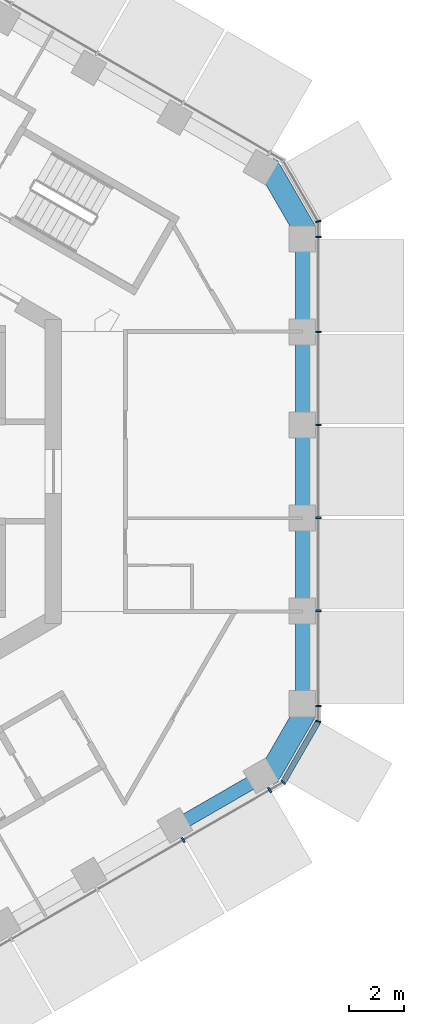
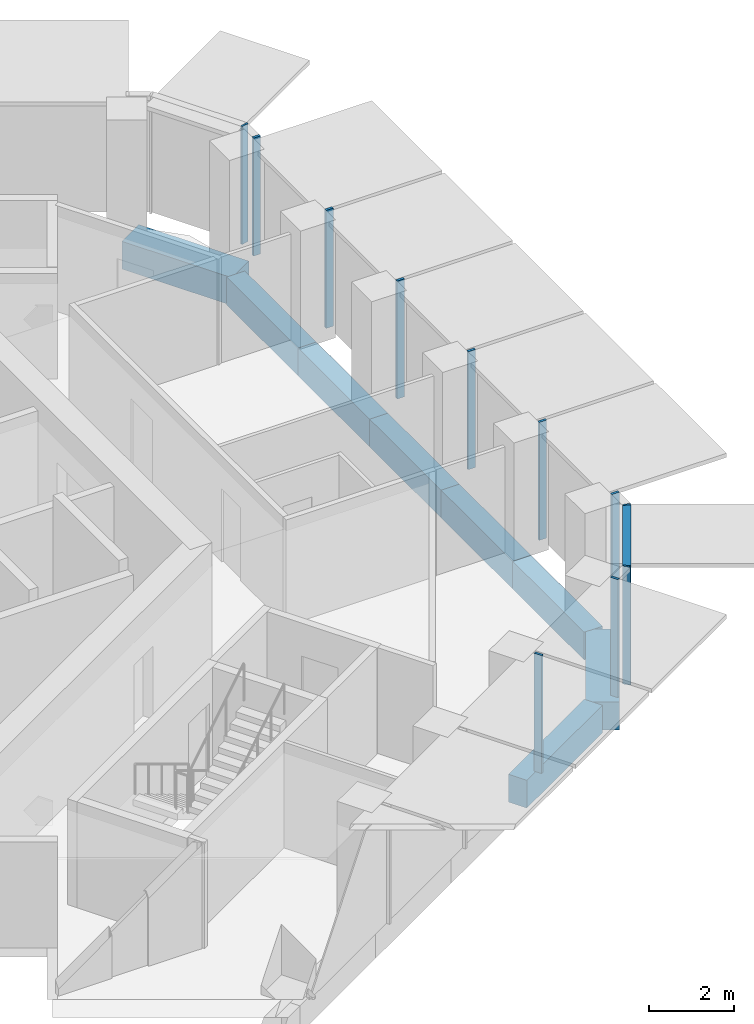
# One storey, part 5 of 18: 12 members, 8 beams, 4 elements without a shape of their own.
"""IFC4 building model written with IfcOpenShell, lengths in metres."""

import ifcopenshell
import ifcopenshell.guid

model = None  # the IFC model being written
_history = None  # IfcOwnerHistory: only IFC2X3 demands one
_inside = {}  # id of a spatial element -> (the spatial element, [elements in it])
_under = {}  # id of a project, library or spatial element -> (it, [spatial elements below it])
_declared = {}  # id of a project -> (the project, [libraries it declares])
_typed = {}  # id of a type object -> (the type object, [elements of that type])
_made_of = {}  # id of a material, layer set ... -> (it, [elements and type objects made of it])


def new_model(schema):
    """Start an empty IFC model of exactly this schema.

    Asked for "IFC4X3", IfcOpenShell would pick the latest addendum, in which some entities
    have other attributes; the version numbers below select the first issue.
    IFC2X3 requires an IfcOwnerHistory on every rooted entity: one is made here for all.
    """
    global model, _history
    if schema == "IFC4X3":
        model = ifcopenshell.file(schema_version=(4, 3, 0, 0))
    else:
        model = ifcopenshell.file(schema=schema)
    _inside.clear()
    _under.clear()
    _declared.clear()
    _typed.clear()
    _made_of.clear()
    _history = None
    if model.schema == "IFC2X3":
        org = make("IfcOrganization", Name="unknown")
        user = make(
            "IfcPersonAndOrganization",
            ThePerson=make("IfcPerson", FamilyName="unknown"),
            TheOrganization=org,
        )
        app = make(
            "IfcApplication",
            ApplicationDeveloper=org,
            Version="unknown",
            ApplicationFullName="unknown",
            ApplicationIdentifier="unknown",
        )
        _history = make(
            "IfcOwnerHistory",
            OwningUser=user,
            OwningApplication=app,
            ChangeAction="ADDED",
            CreationDate=0,
        )
    return model


def make(cls, **values):
    """One entity of the class cls with the attributes given. An attribute that is None is left unset."""
    return model.create_entity(
        cls, **{name: value for name, value in values.items() if value is not None}
    )


def rooted(cls, **values):
    """An entity with a GlobalId (a new one), such as an element, a storey or a relation."""
    return make(cls, GlobalId=ifcopenshell.guid.new(), OwnerHistory=_history, **values)


def si_unit(unit_type, name, prefix=None):
    """IfcSIUnit, for example si_unit("LENGTHUNIT", "METRE", prefix="MILLI")."""
    return make("IfcSIUnit", UnitType=unit_type, Prefix=prefix, Name=name)


def assignment(units):
    """IfcUnitAssignment: the units of a project."""
    return None if units is None else make("IfcUnitAssignment", Units=units)


def point(xyz):
    """IfcCartesianPoint."""
    return None if xyz is None else make("IfcCartesianPoint", Coordinates=xyz)


def direction(xyz):
    """IfcDirection."""
    return None if xyz is None else make("IfcDirection", DirectionRatios=xyz)


def frame(location, z_axis=None, x_axis=None):
    """IfcAxis2Placement3D, a coordinate frame: its origin and axes. An axis left out is left unset."""
    return make(
        "IfcAxis2Placement3D",
        Location=point(location),
        Axis=direction(z_axis),
        RefDirection=direction(x_axis),
    )


def frame_2d(location, x_axis=None):
    """IfcAxis2Placement2D, a coordinate frame in the plane: its origin and x axis."""
    return make(
        "IfcAxis2Placement2D", Location=point(location), RefDirection=direction(x_axis)
    )


def origin():
    """The frame at (0, 0, 0) with its axes left unset."""
    return frame((0.0, 0.0, 0.0))


def origin_2d():
    """The frame at (0, 0) in the plane with its x axis left unset."""
    return frame_2d((0.0, 0.0))


def place(relative_to, where):
    """IfcLocalPlacement: puts the frame where relative to a parent placement (None: the world)."""
    return make(
        "IfcLocalPlacement", PlacementRelTo=relative_to, RelativePlacement=where
    )


def context(
    kind, dimensions, precision=None, world=None, true_north=None, identifier=None
):
    """IfcGeometricRepresentationContext, for example the 3D "Model" context."""
    return make(
        "IfcGeometricRepresentationContext",
        ContextIdentifier=identifier,
        ContextType=kind,
        CoordinateSpaceDimension=dimensions,
        Precision=precision,
        WorldCoordinateSystem=world,
        TrueNorth=true_north,
    )


def subcontext(parent, identifier, kind, view, scale=None):
    """IfcGeometricRepresentationSubContext, for example "Body" below "Model"."""
    return make(
        "IfcGeometricRepresentationSubContext",
        ContextIdentifier=identifier,
        ContextType=kind,
        ParentContext=parent,
        TargetScale=scale,
        TargetView=view,
    )


def project(units=None, contexts=None):
    """IfcProject with its units and contexts."""
    return rooted(
        "IfcProject",
        Name="project",
        RepresentationContexts=contexts,
        UnitsInContext=assignment(units),
    )


def spatial(cls, under=None, at=None, **own):
    """A site, building, storey or space (cls), placed at a placement, below another one or the project."""
    s = rooted(cls, ObjectPlacement=at, **own)
    if under is not None:
        _under.setdefault(under.id(), (under, []))[1].append(s)
    return s


def profile(cls, at=None, kind="AREA", **sizes):
    """A parametric profile (cls). Its sizes go by their IFC names, for example OverallWidth=200.0."""
    return make(cls, ProfileType=kind, Position=at, **sizes)


def rectangle(**sizes):
    """IfcRectangleProfileDef."""
    return profile("IfcRectangleProfileDef", **sizes)


def extrude(swept, where, along, depth):
    """IfcExtrudedAreaSolid: the profile swept, set in the frame where, extruded along a direction by depth."""
    return make(
        "IfcExtrudedAreaSolid",
        SweptArea=swept,
        Position=where,
        ExtrudedDirection=direction(along),
        Depth=depth,
    )


def shape(context_of_items, identifier, shape_type, items):
    """IfcShapeRepresentation: the items that make up one representation, for example the "Body"."""
    return make(
        "IfcShapeRepresentation",
        ContextOfItems=context_of_items,
        RepresentationIdentifier=identifier,
        RepresentationType=shape_type,
        Items=items,
    )


def material(Name=None, Category=None):
    """IfcMaterial."""
    return make("IfcMaterial", Name=Name, Category=Category)


def layer(
    of_material, thickness, ventilated=None, Name=None, Category=None, Priority=None
):
    """IfcMaterialLayer: one layer of a wall or slab, of a material (None: an air gap)."""
    return make(
        "IfcMaterialLayer",
        Material=of_material,
        LayerThickness=thickness,
        IsVentilated=ventilated,
        Name=Name,
        Category=Category,
        Priority=Priority,
    )


def layer_set(layers, Name=None):
    """IfcMaterialLayerSet."""
    return make("IfcMaterialLayerSet", MaterialLayers=layers, LayerSetName=Name)


def material_profile(
    of_material, cross_section, Name=None, Category=None, Priority=None
):
    """IfcMaterialProfile: a cross section and its material."""
    return make(
        "IfcMaterialProfile",
        Name=Name,
        Material=of_material,
        Profile=cross_section,
        Priority=Priority,
        Category=Category,
    )


def profile_set(profiles, Name=None, composite=None):
    """IfcMaterialProfileSet."""
    return make(
        "IfcMaterialProfileSet",
        Name=Name,
        MaterialProfiles=profiles,
        CompositeProfile=composite,
    )


def made_of(thing, what):
    """Note that an element or type object is made of a material, layer set ...; save() writes the relation."""
    if what is not None:
        _made_of.setdefault(what.id(), (what, []))[1].append(thing)
    return thing


def type_object(cls, material=None, **own):
    """A type object (cls), such as IfcWallType, which elements share."""
    return made_of(rooted(cls, **own), material)


def element(
    cls,
    number,
    at=None,
    inside=None,
    cuts=None,
    type_object=None,
    material=None,
    context=None,
    identifier="Body",
    shape_type=None,
    held_by="IfcProductDefinitionShape",
    body=None,
    shapes=None,
    **own,
):
    """One element of the class cls, such as IfcWall. Its Tag is "e" and its number.

    at: its placement. inside: the storey or other place that contains it. cuts: it is an
    opening in that element (IfcRelVoidsElement). A single representation is given by context,
    identifier, shape_type and body (its items); several are given by shapes. held_by: the class
    of the entity that holds the representations. save() writes the other relations.
    """
    e = rooted(cls, Tag="e%d" % number, ObjectPlacement=at, **own)
    if body is not None:
        shapes = [shape(context, identifier, shape_type, body)]
    if shapes is not None:
        e.Representation = make(held_by, Representations=shapes)
    if inside is not None:
        _inside.setdefault(inside.id(), (inside, []))[1].append(e)
    if cuts is not None:
        rooted(
            "IfcRelVoidsElement", RelatingBuildingElement=cuts, RelatedOpeningElement=e
        )
    if type_object is not None:
        _typed.setdefault(type_object.id(), (type_object, []))[1].append(e)
    return made_of(e, material)


def aggregate(whole, parts):
    """IfcRelAggregates: a whole, such as a stair, and the parts it consists of."""
    return rooted("IfcRelAggregates", RelatingObject=whole, RelatedObjects=parts)


def save(model, path):
    """Write the relations noted so far, then the file.

    IfcRelAggregates (storeys below a building ...), IfcRelContainedInSpatialStructure (elements
    in a storey), IfcRelDefinesByType, IfcRelAssociatesMaterial and IfcRelDeclares: one each for
    every whole, place, type object, material and project.
    """
    for whole, parts in _under.values():
        aggregate(whole, parts)
    for where, things in _inside.values():
        rooted(
            "IfcRelContainedInSpatialStructure",
            RelatedElements=things,
            RelatingStructure=where,
        )
    for kind, things in _typed.values():
        rooted("IfcRelDefinesByType", RelatedObjects=things, RelatingType=kind)
    for what, things in _made_of.values():
        rooted("IfcRelAssociatesMaterial", RelatedObjects=things, RelatingMaterial=what)
    for by, libraries in _declared.values():
        rooted("IfcRelDeclares", RelatingContext=by, RelatedDefinitions=libraries)
    model.write(path)


model = new_model("IFC4")

# Units and contexts
model_context = context("Model", 3, precision=1e-05, world=origin(), true_north=direction((0.0, 1.0)))
body_context = subcontext(model_context, "Body", "Model", "MODEL_VIEW")
ifc_project = project(units=[si_unit("LENGTHUNIT", "METRE"), si_unit("AREAUNIT", "SQUARE_METRE"), si_unit("VOLUMEUNIT", "CUBIC_METRE"), si_unit("PLANEANGLEUNIT", "RADIAN"), si_unit("MASSUNIT", "GRAM", prefix="KILO")], contexts=[model_context])

# Site, building, storey
site_placement = place(None, origin())
site = spatial("IfcSite", under=ifc_project, at=site_placement, CompositionType="ELEMENT")
building_placement = place(site_placement, origin())
building = spatial("IfcBuilding", under=site, at=building_placement, Name="Ayvan Gate Tower", CompositionType="ELEMENT")
storey_placement = place(building_placement, frame((0.0, 0.0, 169.699951171875)))
storey = spatial("IfcBuildingStorey", under=building, at=storey_placement, Name="L45", CompositionType="ELEMENT", Elevation=169.699951171875)

# Beams
ifc_material_1 = material(Name="Concrete C40/50", Category="concrete")
ifc_material_profile_1 = material_profile(ifc_material_1, rectangle(XDim=0.800048828125, YDim=0.800048828125, at=origin_2d()), Name="RC 800x800")
ifc_profile_set_1 = profile_set([ifc_material_profile_1], Name="Concrete C40/50")
beam_type_1 = type_object("IfcBeamType", Name="Corner spandrel beam RC 800x800 C40/50", PredefinedType="BEAM", material=ifc_profile_set_1)
for number, where, z_axis, x_axis, name in (
    (1, (18.376953125, 8.550537109375, -0.75), (-0.50002537861, 0.866010750942, 0.0), (-0.866010750942, -0.50002537861, 0.0), "SB-L45-6"),
    (2, (16.876953125, -11.1484375, -0.75), (0.50002537861, 0.866010750942, 0.0), (-0.866010750942, 0.50002537861, 0.0), "SB-L45-36"),
):
    element("IfcBeam", number, at=place(storey_placement, frame(where, z_axis=z_axis, x_axis=x_axis)), inside=storey, type_object=beam_type_1, Name=name, PredefinedType="BEAM", context=body_context, shape_type="SweptSolid", body=[
        extrude(rectangle(XDim=0.800048828125, YDim=0.800048828125, at=origin_2d()), origin(), (0.0, 0.0, 1.0), 2.999755859375),
    ])
ifc_material_profile_2 = material_profile(ifc_material_1, rectangle(XDim=0.5, YDim=0.800048828125, at=origin_2d()), Name="RC 500x800")
ifc_profile_set_2 = profile_set([ifc_material_profile_2], Name="Concrete C40/50")
beam_type_2 = type_object("IfcBeamType", Name="Spandrel beam RC 500x800 C40/50", PredefinedType="BEAM", material=ifc_profile_set_2)
for number, where, z_axis, x_axis, name in (
    (3, (18.1865234375, -8.4404296875, -0.75), (0.0, 1.0, 0.0), (-1.0, 0.0, 0.0), "SB-L45-1"),
    (4, (18.1865234375, -5.064208984375, -0.75), (0.0, 1.0, 0.0), (-1.0, 0.0, 0.0), "SB-L45-2"),
):
    element("IfcBeam", number, at=place(storey_placement, frame(where, z_axis=z_axis, x_axis=x_axis)), inside=storey, type_object=beam_type_2, Name=name, PredefinedType="BEAM", context=body_context, shape_type="SweptSolid", body=[
        extrude(rectangle(XDim=0.5, YDim=0.800048828125, at=origin_2d()), origin(), (0.0, 0.0, 1.0), 3.376220703125),
    ])
beam_1_placement = place(storey_placement, frame((18.1865234375, -1.68798828125, -0.75), z_axis=(0.0, 1.0, 0.0), x_axis=(-1.0, 0.0, 0.0)))
element("IfcBeam", 5, at=beam_1_placement, inside=storey, type_object=beam_type_2, Name="SB-L45-3", PredefinedType="BEAM", context=body_context, shape_type="SweptSolid", body=[
    extrude(rectangle(XDim=0.5, YDim=0.800048828125, at=origin_2d()), origin(), (0.0, 0.0, 1.0), 3.3759765625),
])
for number, where, z_axis, x_axis, name in (
    (6, (18.1865234375, 1.68798828125, -0.75), (0.0, 1.0, 0.0), (-1.0, 0.0, 0.0), "SB-L45-4"),
    (7, (18.1865234375, 5.064208984375, -0.75), (0.0, 1.0, 0.0), (-1.0, 0.0, 0.0), "SB-L45-5"),
):
    element("IfcBeam", number, at=place(storey_placement, frame(where, z_axis=z_axis, x_axis=x_axis)), inside=storey, type_object=beam_type_2, Name=name, PredefinedType="BEAM", context=body_context, shape_type="SweptSolid", body=[
        extrude(rectangle(XDim=0.5, YDim=0.800048828125, at=origin_2d()), origin(), (0.0, 0.0, 1.0), 3.376220703125),
    ])
beam_2_placement = place(storey_placement, frame((13.592529296875, -12.824951171875, -0.75), z_axis=(0.866018300902, 0.500012302351, 0.0), x_axis=(-0.500012302351, 0.866018300902, 0.0)))
element("IfcBeam", 8, at=beam_2_placement, inside=storey, type_object=beam_type_2, Name="SB-L45-35", PredefinedType="BEAM", context=body_context, shape_type="SweptSolid", body=[
    extrude(rectangle(XDim=0.5, YDim=0.800048828125, at=origin_2d()), origin(), (0.0, 0.0, 1.0), 3.57275390625),
])

# Curtain wall, members
ifc_material_2 = material(Name="Bronze anodised aluminium", Category="aluminium")
ifc_layer_1 = layer(ifc_material_2, 0.199951171875)
ifc_layer_set_1 = layer_set([ifc_layer_1], Name="Bronze anodised aluminium")
curtain_wall_type_1 = type_object("IfcCurtainWallType", Name="Stick curtain wall CW-2", PredefinedType="NOTDEFINED", material=ifc_layer_set_1)
curtain_wall_1_placement = place(storey_placement, origin())
curtain_wall_1 = element("IfcCurtainWall", 9, at=curtain_wall_1_placement, inside=storey, type_object=curtain_wall_type_1, Name="Stick curtain wall CW-2 L45", PredefinedType="NOTDEFINED")
ifc_material_profile_3 = material_profile(ifc_material_2, rectangle(XDim=0.199951171875, YDim=0.070068359375, at=origin_2d()), Name="Stick curtain wall CW-2 mullion 200 x 70")
ifc_profile_set_3 = profile_set([ifc_material_profile_3], Name="Bronze anodised aluminium")
member_type_1 = type_object("IfcMemberType", Name="Stick curtain wall CW-2 mullion 200 x 70", PredefinedType="MULLION", material=ifc_profile_set_3)
member_1_placement = place(storey_placement, frame((13.886474609375, -13.303955078125, 0.0), z_axis=(0.0, 0.0, 1.0), x_axis=(0.5, -0.866025403784, 0.0)))
member_1 = element("IfcMember", 10, at=member_1_placement, type_object=member_type_1, Name="CW-2 mullion 5", PredefinedType="MULLION", context=body_context, shape_type="SweptSolid", body=[
    extrude(rectangle(XDim=0.199951171875, YDim=0.070068359375, at=origin_2d()), origin(), (0.0, 0.0, 1.0), 3.400146484375),
])
member_2_placement = place(storey_placement, frame((17.00927734375, -11.5009765625, 0.0), z_axis=(0.0, 0.0, 1.0), x_axis=(0.5, -0.866025403784, 0.0)))
member_2 = element("IfcMember", 11, at=member_2_placement, type_object=member_type_1, Name="CW-2 mullion 6", PredefinedType="MULLION", context=body_context, shape_type="SweptSolid", body=[
    extrude(rectangle(XDim=0.199951171875, YDim=0.070068359375, at=origin_2d()), origin(), (0.0, 0.0, 1.0), 3.400146484375),
])
aggregate(curtain_wall_1, [member_1, member_2])

curtain_wall_2_placement = place(storey_placement, origin())
curtain_wall_2 = element("IfcCurtainWall", 12, at=curtain_wall_2_placement, inside=storey, type_object=curtain_wall_type_1, Name="Stick curtain wall CW-2 L45", PredefinedType="NOTDEFINED")
member_3_placement = place(storey_placement, frame((18.761474609375, -8.466064453125, 0.0), z_axis=(0.0, 0.0, 1.0), x_axis=(1.0, 0.0, 0.0)))
member_3 = element("IfcMember", 13, at=member_3_placement, type_object=member_type_1, Name="CW-2 mullion 1", PredefinedType="MULLION", context=body_context, shape_type="SweptSolid", body=[
    extrude(rectangle(XDim=0.199951171875, YDim=0.070068359375, at=origin_2d()), origin(), (0.0, 0.0, 1.0), 3.400146484375),
])
member_4_placement = place(storey_placement, frame((18.761474609375, -5.034912109375, 0.0), z_axis=(0.0, 0.0, 1.0), x_axis=(1.0, 0.0, 0.0)))
member_4 = element("IfcMember", 14, at=member_4_placement, type_object=member_type_1, Name="CW-2 mullion 2", PredefinedType="MULLION", context=body_context, shape_type="SweptSolid", body=[
    extrude(rectangle(XDim=0.199951171875, YDim=0.070068359375, at=origin_2d()), origin(), (0.0, 0.0, 1.0), 3.400146484375),
])
member_5_placement = place(storey_placement, frame((18.761474609375, -1.677978515625, 0.0), z_axis=(0.0, 0.0, 1.0), x_axis=(1.0, 0.0, 0.0)))
member_5 = element("IfcMember", 15, at=member_5_placement, type_object=member_type_1, Name="CW-2 mullion 3", PredefinedType="MULLION", context=body_context, shape_type="SweptSolid", body=[
    extrude(rectangle(XDim=0.199951171875, YDim=0.070068359375, at=origin_2d()), origin(), (0.0, 0.0, 1.0), 3.400146484375),
])
member_6_placement = place(storey_placement, frame((18.761474609375, 1.677978515625, 0.0), z_axis=(0.0, 0.0, 1.0), x_axis=(1.0, 0.0, 0.0)))
member_6 = element("IfcMember", 16, at=member_6_placement, type_object=member_type_1, Name="CW-2 mullion 4", PredefinedType="MULLION", context=body_context, shape_type="SweptSolid", body=[
    extrude(rectangle(XDim=0.199951171875, YDim=0.070068359375, at=origin_2d()), origin(), (0.0, 0.0, 1.0), 3.400146484375),
])
member_7_placement = place(storey_placement, frame((18.761474609375, 5.034912109375, 0.0), z_axis=(0.0, 0.0, 1.0), x_axis=(1.0, 0.0, 0.0)))
member_7 = element("IfcMember", 17, at=member_7_placement, type_object=member_type_1, Name="CW-2 mullion 5", PredefinedType="MULLION", context=body_context, shape_type="SweptSolid", body=[
    extrude(rectangle(XDim=0.199951171875, YDim=0.070068359375, at=origin_2d()), origin(), (0.0, 0.0, 1.0), 3.400146484375),
])
member_8_placement = place(storey_placement, frame((18.761474609375, 8.466064453125, 0.0), z_axis=(0.0, 0.0, 1.0), x_axis=(1.0, 0.0, 0.0)))
member_8 = element("IfcMember", 18, at=member_8_placement, type_object=member_type_1, Name="CW-2 mullion 6", PredefinedType="MULLION", context=body_context, shape_type="SweptSolid", body=[
    extrude(rectangle(XDim=0.199951171875, YDim=0.070068359375, at=origin_2d()), origin(), (0.0, 0.0, 1.0), 3.400146484375),
])
aggregate(curtain_wall_2, [member_3, member_4, member_5, member_6, member_7, member_8])

ifc_layer_2 = layer(ifc_material_2, 0.199951171875)
ifc_layer_set_2 = layer_set([ifc_layer_2], Name="Bronze anodised aluminium")
curtain_wall_type_2 = type_object("IfcCurtainWallType", Name="Stick curtain wall CW-6", PredefinedType="NOTDEFINED", material=ifc_layer_set_2)
curtain_wall_3_placement = place(storey_placement, origin())
curtain_wall_3 = element("IfcCurtainWall", 19, at=curtain_wall_3_placement, inside=storey, type_object=curtain_wall_type_2, Name="Stick curtain wall CW-6 L45", PredefinedType="NOTDEFINED")
ifc_material_profile_4 = material_profile(ifc_material_2, rectangle(XDim=0.199951171875, YDim=0.050048828125, at=origin_2d()), Name="Stick curtain wall CW-6 mullion 200 x 50")
ifc_profile_set_4 = profile_set([ifc_material_profile_4], Name="Bronze anodised aluminium")
member_type_2 = type_object("IfcMemberType", Name="Stick curtain wall CW-6 mullion 200 x 50", PredefinedType="MULLION", material=ifc_profile_set_4)
member_9_placement = place(storey_placement, frame((17.494140625, -11.220947265625, 0.0), z_axis=(0.0, 0.0, 1.0), x_axis=(0.707106781187, -0.707106781187, 0.0)))
member_9 = element("IfcMember", 20, at=member_9_placement, type_object=member_type_2, Name="CW-6 mullion 2", PredefinedType="MULLION", context=body_context, shape_type="SweptSolid", body=[
    extrude(rectangle(XDim=0.199951171875, YDim=0.050048828125, at=origin_2d()), origin(), (0.0, 0.0, 1.0), 3.400146484375),
])
member_10_placement = place(storey_placement, frame((18.761474609375, -9.026123046875, 0.0), z_axis=(0.0, 0.0, 1.0), x_axis=(0.965925826289, -0.258819045103, 0.0)))
member_10 = element("IfcMember", 21, at=member_10_placement, type_object=member_type_2, Name="CW-6 mullion 3", PredefinedType="MULLION", context=body_context, shape_type="SweptSolid", body=[
    extrude(rectangle(XDim=0.199951171875, YDim=0.050048828125, at=origin_2d()), origin(), (0.0, 0.0, 1.0), 3.400146484375),
])

# Curtain wall, member
curtain_wall_4_placement = place(storey_placement, origin())
curtain_wall_4 = element("IfcCurtainWall", 22, at=curtain_wall_4_placement, inside=storey, type_object=curtain_wall_type_2, Name="Stick curtain wall CW-6 L45", PredefinedType="NOTDEFINED")
member_11_placement = place(storey_placement, frame((18.761474609375, 9.026123046875, 0.0), z_axis=(0.0, 0.0, 1.0), x_axis=(0.965925826289, 0.258819045103, 0.0)))
member_11 = element("IfcMember", 23, at=member_11_placement, type_object=member_type_2, Name="CW-6 mullion 2", PredefinedType="MULLION", context=body_context, shape_type="SweptSolid", body=[
    extrude(rectangle(XDim=0.199951171875, YDim=0.050048828125, at=origin_2d()), origin(), (0.0, 0.0, 1.0), 3.400146484375),
])
aggregate(curtain_wall_4, [member_11])

# Member
ifc_material_profile_5 = material_profile(ifc_material_2, rectangle(XDim=0.199951171875, YDim=0.1201171875, at=origin_2d()), Name="Stick curtain wall CW-6 transom 200 x 120")
ifc_profile_set_5 = profile_set([ifc_material_profile_5], Name="Bronze anodised aluminium")
member_type_3 = type_object("IfcMemberType", Name="Stick curtain wall CW-6 transom 200 x 120", PredefinedType="USERDEFINED", material=ifc_profile_set_5)
member_12_placement = place(storey_placement, frame((17.5068359375, -11.199462890625, 3.340087890625), z_axis=(0.499943602543, 0.866057962423, 0.0), x_axis=(-0.866057962423, 0.499943602543, 0.0)))
member_12 = element("IfcMember", 24, at=member_12_placement, type_object=member_type_3, Name="CW-6 transom 2", ObjectType="TRANSOM", PredefinedType="USERDEFINED", context=body_context, shape_type="SweptSolid", body=[
    extrude(rectangle(XDim=0.199951171875, YDim=0.1201171875, at=origin_2d()), origin(), (0.0, 0.0, 1.0), 2.484619140625),
])

aggregate(curtain_wall_3, [member_9, member_10, member_12])

save(model, "model.ifc")
